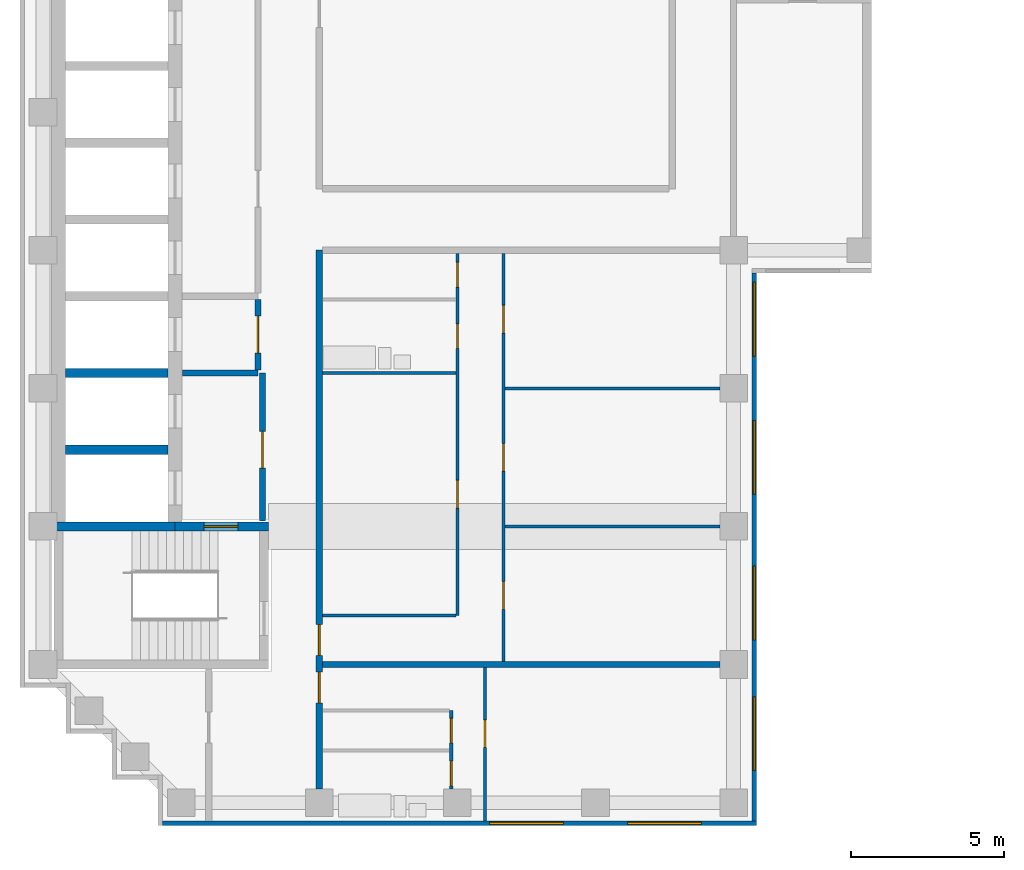
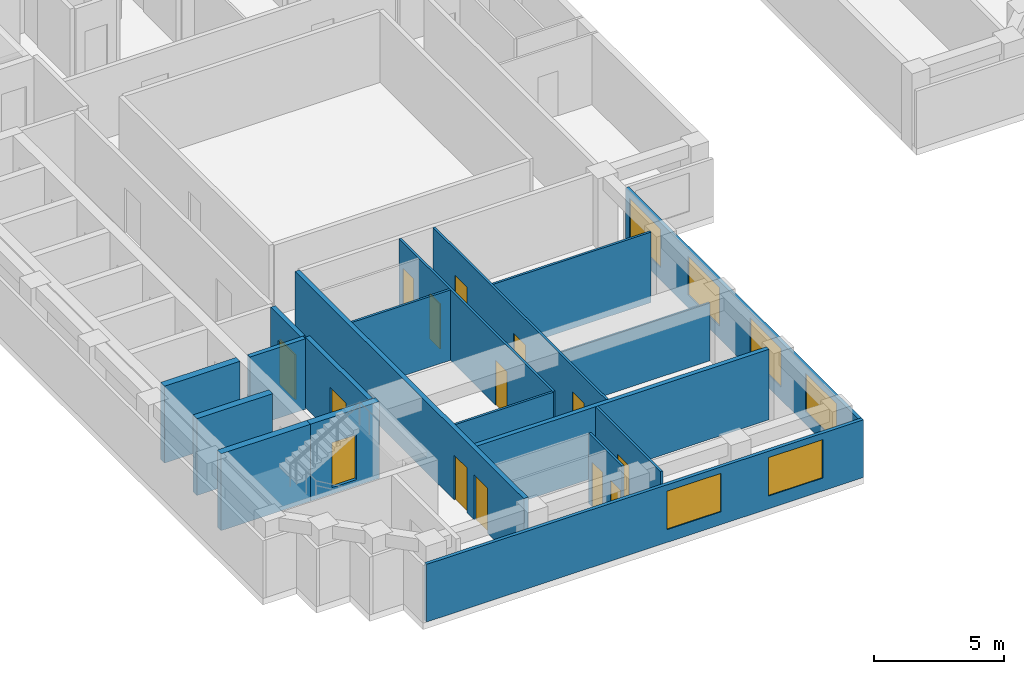
# One storey, part 2 of 7: 19 walls, 14 doors, 6 windows, 20 openings.
"""IFC4 building model written with IfcOpenShell, lengths in metres."""

from ifc_helpers import new_model, si_unit, direction, frame, frame_2d, origin, place, context, subcontext, project, spatial, rectangle, extrude, material, layer, layer_set, type_object, element, fill, save


model = new_model("IFC4")

# Units and contexts
model_context = context("Model", 3, precision=1e-05, world=origin(), true_north=direction((0.0, 1.0)))
body_context = subcontext(model_context, "Body", "Model", "MODEL_VIEW")
ifc_project = project(units=[si_unit("LENGTHUNIT", "METRE"), si_unit("AREAUNIT", "SQUARE_METRE"), si_unit("VOLUMEUNIT", "CUBIC_METRE"), si_unit("PLANEANGLEUNIT", "RADIAN"), si_unit("MASSUNIT", "GRAM", prefix="KILO")], contexts=[model_context])

# Site, building, storey
site_placement = place(None, origin())
site = spatial("IfcSite", under=ifc_project, at=site_placement, CompositionType="ELEMENT")
building_placement = place(site_placement, origin())
building = spatial("IfcBuilding", under=site, at=building_placement, Name="Firuza Court", CompositionType="ELEMENT")
storey_placement = place(building_placement, frame((0.0, 0.0, 243.800048828125)))
storey = spatial("IfcBuildingStorey", under=building, at=storey_placement, Name="L63", CompositionType="ELEMENT", Elevation=243.800048828125)

# Walls
ifc_material_1 = material(Name="Moisture-resistant gypsum board partition")
ifc_layer_1 = layer(ifc_material_1, 0.10009765625)
ifc_layer_set_1 = layer_set([ifc_layer_1], Name="Moisture-resistant gypsum board partition")
wall_type_1 = type_object("IfcWallType", Name="Bathroom partition 100", PredefinedType="PLUMBINGWALL", material=ifc_layer_set_1)
wall_1_placement = place(storey_placement, frame((9.10009765625, 32.0, 0.0), z_axis=(0.0, 0.0, 1.0), x_axis=(1.0, 0.0, 0.0)))
element("IfcWall", 1, at=wall_1_placement, inside=storey, type_object=wall_type_1, Name="Bathroom partition 100 L63", PredefinedType="PLUMBINGWALL", context=body_context, shape_type="SweptSolid", body=[
    extrude(rectangle(XDim=4.349853515625, YDim=0.10009765625, at=frame_2d((2.1748046875, 0.0))), origin(), (0.0, 0.0, 1.0), 3.300048828125),
])
ifc_material_2 = material(Name="Concrete C50/60", Category="concrete")
ifc_layer_2 = layer(ifc_material_2, 0.300048828125)
ifc_layer_set_2 = layer_set([ifc_layer_2], Name="Concrete C50/60")
wall_type_2 = type_object("IfcWallType", Name="Core wall 300 C50/60", PredefinedType="SHEAR", material=ifc_layer_set_2)
wall_2_placement = place(storey_placement, frame((0.35009765625, 27.0, -0.300048828125), z_axis=(0.0, 0.0, 1.0), x_axis=(1.0, 0.0, 0.0)))
element("IfcWall", 2, at=wall_2_placement, inside=storey, type_object=wall_type_2, Name="Core wall lift shaft L63", PredefinedType="SHEAR", context=body_context, shape_type="SweptSolid", body=[
    extrude(rectangle(XDim=3.949951171875, YDim=0.300048828125, at=frame_2d((1.97509765625, 0.0))), origin(), (0.0, 0.0, 1.0), 3.60009765625),
])
for number, where, z_axis, x_axis, name in (
    (3, (0.72509765625, 29.5, -0.300048828125), (0.0, 0.0, 1.0), (1.0, 0.0, 0.0), "Core wall lift shaft L63"),
    (4, (0.72509765625, 32.0, -0.300048828125), (0.0, 0.0, 1.0), (1.0, 0.0, 0.0), "Core wall lift shaft L63"),
):
    element("IfcWall", number, at=place(storey_placement, frame(where, z_axis=z_axis, x_axis=x_axis)), inside=storey, type_object=wall_type_2, Name=name, PredefinedType="SHEAR", context=body_context, shape_type="SweptSolid", body=[
        extrude(rectangle(XDim=3.349853515625, YDim=0.300048828125, at=frame_2d((1.6748046875, 0.0))), origin(), (0.0, 0.0, 1.0), 3.60009765625),
    ])

# Wall, opening, door
wall_3_placement = place(storey_placement, frame((4.300048828125, 27.0, -0.300048828125), z_axis=(0.0, 0.0, 1.0), x_axis=(1.0, 0.0, 0.0)))
wall_3 = element("IfcWall", 5, at=wall_3_placement, inside=storey, type_object=wall_type_2, Name="Core wall stair L63", PredefinedType="SHEAR", context=body_context, shape_type="SweptSolid", body=[
    extrude(rectangle(XDim=3.050048828125, YDim=0.300048828125, at=frame_2d((1.52490234375, 0.0))), origin(), (0.0, 0.0, 1.0), 3.60009765625),
])
opening_1_placement = place(wall_3_placement, frame((0.949951171875, 0.0, 0.300048828125)))
opening_1 = element("IfcOpeningElement", 6, at=opening_1_placement, cuts=wall_3, Name="Opening D63009", PredefinedType="OPENING", context=body_context, shape_type="SweptSolid", body=[
    extrude(rectangle(XDim=1.10009765625, YDim=2.10009765625, at=frame_2d((0.550048828125, 1.050048828125))), frame((0.0, 0.162109375, 0.0), z_axis=(0.0, -1.0, 0.0), x_axis=(1.0, 0.0, 0.0)), (0.0, 0.0, 1.0), 0.323974609375),
])
ifc_material_3 = material(Name="Timber door leaf in hardwood frame", Category="wood")
door_type_1 = type_object("IfcDoorType", Name="Stair door 1100", OperationType="SINGLE_SWING_LEFT", PredefinedType="DOOR", material=ifc_material_3)
door_1_placement = place(opening_1_placement, frame((1.10009765625, 0.0, 0.0), z_axis=(0.0, 0.0, 1.0), x_axis=(-1.0, 0.0, 0.0)))
door_1 = element("IfcDoor", 7, at=door_1_placement, inside=storey, type_object=door_type_1, Name="Fire-fighting lobby door", OperationType="SINGLE_SWING_LEFT", OverallHeight=2.10009765625, OverallWidth=1.10009765625, PredefinedType="DOOR", context=body_context, shape_type="SweptSolid", body=[
    extrude(rectangle(XDim=1.10009765625, YDim=2.10009765625, at=frame_2d((0.550048828125, 1.050048828125))), frame((0.0, 0.02490234375, 0.0), z_axis=(0.0, -1.0, 0.0), x_axis=(1.0, 0.0, 0.0)), (0.0, 0.0, 1.0), 0.050048828125),
])
fill(opening_1, door_1)

# Wall, openings, doors
ifc_material_4 = material(Name="Blockwork, plastered both sides", Category="masonry")
ifc_layer_3 = layer(ifc_material_4, 0.199951171875)
ifc_layer_set_3 = layer_set([ifc_layer_3], Name="Blockwork, plastered both sides")
wall_type_3 = type_object("IfcWallType", Name="Corridor wall 200", PredefinedType="PARTITIONING", material=ifc_layer_set_3)
wall_4_placement = place(storey_placement, frame((9.0, 18.449951171875, 0.0), z_axis=(0.0, 0.0, 1.0), x_axis=(0.0, 1.0, 0.0)))
wall_4 = element("IfcWall", 8, at=wall_4_placement, inside=storey, type_object=wall_type_3, Name="Corridor wall 200 L63", PredefinedType="PARTITIONING", context=body_context, shape_type="SweptSolid", body=[
    extrude(rectangle(XDim=17.550048828125, YDim=0.199951171875, at=frame_2d((8.77490234375, 0.0))), origin(), (0.0, 0.0, 1.0), 3.300048828125),
])
opening_2_placement = place(wall_4_placement, frame((4.35009765625, 0.0, 0.0)))
opening_2 = element("IfcOpeningElement", 9, at=opening_2_placement, cuts=wall_4, Name="Opening D63014", PredefinedType="OPENING", context=body_context, shape_type="SweptSolid", body=[
    extrude(rectangle(XDim=1.0, YDim=2.10009765625, at=frame_2d((0.5, 1.050048828125))), frame((0.0, 0.11181640625, 0.0), z_axis=(0.0, -1.0, 0.0), x_axis=(1.0, 0.0, 0.0)), (0.0, 0.0, 1.0), 0.223876953125),
])
opening_3_placement = place(wall_4_placement, frame((2.800048828125, 0.0, 0.0)))
opening_3 = element("IfcOpeningElement", 10, at=opening_3_placement, cuts=wall_4, Name="Opening D63015", PredefinedType="OPENING", context=body_context, shape_type="SweptSolid", body=[
    extrude(rectangle(XDim=1.0, YDim=2.10009765625, at=frame_2d((0.5, 1.050048828125))), frame((0.0, 0.11181640625, 0.0), z_axis=(0.0, -1.0, 0.0), x_axis=(1.0, 0.0, 0.0)), (0.0, 0.0, 1.0), 0.223876953125),
])
ifc_material_5 = material(Name="Timber door leaf in hardwood frame", Category="wood")
door_type_2 = type_object("IfcDoorType", Name="Flat entrance door 1000", OperationType="SINGLE_SWING_LEFT", PredefinedType="DOOR", material=ifc_material_5)
door_2_placement = place(opening_2_placement, origin())
door_2 = element("IfcDoor", 11, at=door_2_placement, inside=storey, type_object=door_type_2, Name="Flat entrance door", OperationType="SINGLE_SWING_LEFT", OverallHeight=2.10009765625, OverallWidth=1.0, PredefinedType="DOOR", context=body_context, shape_type="SweptSolid", body=[
    extrude(rectangle(XDim=1.0, YDim=2.10009765625, at=frame_2d((0.5, 1.050048828125))), frame((0.0, 0.02490234375, 0.0), z_axis=(0.0, -1.0, 0.0), x_axis=(1.0, 0.0, 0.0)), (0.0, 0.0, 1.0), 0.050048828125),
])
fill(opening_2, door_2)
door_3_placement = place(opening_3_placement, origin())
door_3 = element("IfcDoor", 12, at=door_3_placement, inside=storey, type_object=door_type_2, Name="Flat entrance door", OperationType="SINGLE_SWING_LEFT", OverallHeight=2.10009765625, OverallWidth=1.0, PredefinedType="DOOR", context=body_context, shape_type="SweptSolid", body=[
    extrude(rectangle(XDim=1.0, YDim=2.10009765625, at=frame_2d((0.5, 1.050048828125))), frame((0.0, 0.02490234375, 0.0), z_axis=(0.0, -1.0, 0.0), x_axis=(1.0, 0.0, 0.0)), (0.0, 0.0, 1.0), 0.050048828125),
])
fill(opening_3, door_3)

# Wall, opening, door
ifc_material_6 = material(Name="Timber stud partition, plasterboard both sides", Category="wood")
ifc_layer_4 = layer(ifc_material_6, 0.10009765625)
ifc_layer_set_4 = layer_set([ifc_layer_4], Name="Timber stud partition, plasterboard both sides")
wall_type_4 = type_object("IfcWallType", Name="Partition wall 100", PredefinedType="PARTITIONING", material=ifc_layer_set_4)
wall_5_placement = place(storey_placement, frame((14.39990234375, 17.39990234375, 0.0), z_axis=(0.0, 0.0, 1.0), x_axis=(0.0, 1.0, 0.0)))
wall_5 = element("IfcWall", 13, at=wall_5_placement, inside=storey, type_object=wall_type_4, Name="Partition wall 100 L63", PredefinedType="PARTITIONING", context=body_context, shape_type="SweptSolid", body=[
    extrude(rectangle(XDim=5.0, YDim=0.10009765625, at=frame_2d((2.5, 0.0))), origin(), (0.0, 0.0, 1.0), 3.300048828125),
])
opening_4_placement = place(wall_5_placement, frame((2.39990234375, 0.0, 0.0)))
opening_4 = element("IfcOpeningElement", 14, at=opening_4_placement, cuts=wall_5, Name="Opening D63013", PredefinedType="OPENING", context=body_context, shape_type="SweptSolid", body=[
    extrude(rectangle(XDim=0.89990234375, YDim=2.10009765625, at=frame_2d((0.449951171875, 1.050048828125))), frame((0.0, 0.06201171875, 0.0), z_axis=(0.0, -1.0, 0.0), x_axis=(1.0, 0.0, 0.0)), (0.0, 0.0, 1.0), 0.1240234375),
])
ifc_material_7 = material(Name="Timber door leaf in hardwood frame", Category="wood")
door_type_3 = type_object("IfcDoorType", Name="Room door 900", OperationType="SINGLE_SWING_LEFT", PredefinedType="DOOR", material=ifc_material_7)
door_4_placement = place(opening_4_placement, frame((0.89990234375, 0.0, 0.0), z_axis=(0.0, 0.0, 1.0), x_axis=(-1.0, 0.0, 0.0)))
door_4 = element("IfcDoor", 15, at=door_4_placement, inside=storey, type_object=door_type_3, Name="Studio room door", OperationType="SINGLE_SWING_LEFT", OverallHeight=2.10009765625, OverallWidth=0.89990234375, PredefinedType="DOOR", context=body_context, shape_type="SweptSolid", body=[
    extrude(rectangle(XDim=0.89990234375, YDim=2.10009765625, at=frame_2d((0.449951171875, 1.050048828125))), frame((0.0, 0.02490234375, 0.0), z_axis=(0.0, -1.0, 0.0), x_axis=(1.0, 0.0, 0.0)), (0.0, 0.0, 1.0), 0.050048828125),
])
fill(opening_4, door_4)

# Wall, openings, doors
wall_6_placement = place(storey_placement, frame((13.300048828125, 18.449951171875, 0.0), z_axis=(0.0, 0.0, 1.0), x_axis=(0.0, 1.0, 0.0)))
wall_6 = element("IfcWall", 16, at=wall_6_placement, inside=storey, type_object=wall_type_4, Name="Partition wall 100 L63", PredefinedType="PARTITIONING", context=body_context, shape_type="SweptSolid", body=[
    extrude(rectangle(XDim=2.550048828125, YDim=0.10009765625, at=frame_2d((1.27490234375, 0.0))), origin(), (0.0, 0.0, 1.0), 3.300048828125),
])
opening_5_placement = place(wall_6_placement, frame((0.10009765625, 0.0, 0.0)))
opening_5 = element("IfcOpeningElement", 17, at=opening_5_placement, cuts=wall_6, Name="Opening D63016", PredefinedType="OPENING", context=body_context, shape_type="SweptSolid", body=[
    extrude(rectangle(XDim=0.800048828125, YDim=2.10009765625, at=frame_2d((0.39990234375, 1.050048828125))), frame((0.0, 0.06201171875, 0.0), z_axis=(0.0, -1.0, 0.0), x_axis=(1.0, 0.0, 0.0)), (0.0, 0.0, 1.0), 0.1240234375),
])
opening_6_placement = place(wall_6_placement, frame((1.5, 0.0, 0.0)))
opening_6 = element("IfcOpeningElement", 18, at=opening_6_placement, cuts=wall_6, Name="Opening D63017", PredefinedType="OPENING", context=body_context, shape_type="SweptSolid", body=[
    extrude(rectangle(XDim=0.800048828125, YDim=2.10009765625, at=frame_2d((0.39990234375, 1.050048828125))), frame((0.0, 0.06201171875, 0.0), z_axis=(0.0, -1.0, 0.0), x_axis=(1.0, 0.0, 0.0)), (0.0, 0.0, 1.0), 0.1240234375),
])
ifc_material_8 = material(Name="Timber door leaf in hardwood frame", Category="wood")
door_type_4 = type_object("IfcDoorType", Name="Bathroom door 800", OperationType="SINGLE_SWING_LEFT", PredefinedType="DOOR", material=ifc_material_8)
door_5_placement = place(opening_5_placement, origin())
door_5 = element("IfcDoor", 19, at=door_5_placement, inside=storey, type_object=door_type_4, Name="Bathroom door", OperationType="SINGLE_SWING_LEFT", OverallHeight=2.10009765625, OverallWidth=0.800048828125, PredefinedType="DOOR", context=body_context, shape_type="SweptSolid", body=[
    extrude(rectangle(XDim=0.800048828125, YDim=2.10009765625, at=frame_2d((0.39990234375, 1.050048828125))), frame((0.0, 0.02490234375, 0.0), z_axis=(0.0, -1.0, 0.0), x_axis=(1.0, 0.0, 0.0)), (0.0, 0.0, 1.0), 0.050048828125),
])
fill(opening_5, door_5)
ifc_material_9 = material(Name="Timber door leaf in hardwood frame", Category="wood")
door_type_5 = type_object("IfcDoorType", Name="Room door 800", OperationType="SINGLE_SWING_LEFT", PredefinedType="DOOR", material=ifc_material_9)
door_6_placement = place(opening_6_placement, origin())
door_6 = element("IfcDoor", 20, at=door_6_placement, inside=storey, type_object=door_type_5, Name="Kitchen door", OperationType="SINGLE_SWING_LEFT", OverallHeight=2.10009765625, OverallWidth=0.800048828125, PredefinedType="DOOR", context=body_context, shape_type="SweptSolid", body=[
    extrude(rectangle(XDim=0.800048828125, YDim=2.10009765625, at=frame_2d((0.39990234375, 1.050048828125))), frame((0.0, 0.02490234375, 0.0), z_axis=(0.0, -1.0, 0.0), x_axis=(1.0, 0.0, 0.0)), (0.0, 0.0, 1.0), 0.050048828125),
])
fill(opening_6, door_6)

wall_7_placement = place(storey_placement, frame((15.0, 22.60009765625, 0.0), z_axis=(0.0, 0.0, 1.0), x_axis=(0.0, 1.0, 0.0)))
wall_7 = element("IfcWall", 21, at=wall_7_placement, inside=storey, type_object=wall_type_4, Name="Partition wall 100 L63", PredefinedType="PARTITIONING", context=body_context, shape_type="SweptSolid", body=[
    extrude(rectangle(XDim=13.2998046875, YDim=0.10009765625, at=frame_2d((6.64990234375, 0.0))), origin(), (0.0, 0.0, 1.0), 3.300048828125),
])
opening_7_placement = place(wall_7_placement, frame((1.699951171875, 0.0, 0.0)))
opening_7 = element("IfcOpeningElement", 22, at=opening_7_placement, cuts=wall_7, Name="Opening D63018", PredefinedType="OPENING", context=body_context, shape_type="SweptSolid", body=[
    extrude(rectangle(XDim=0.89990234375, YDim=2.10009765625, at=frame_2d((0.449951171875, 1.050048828125))), frame((0.0, 0.06201171875, 0.0), z_axis=(0.0, -1.0, 0.0), x_axis=(1.0, 0.0, 0.0)), (0.0, 0.0, 1.0), 0.1240234375),
])
opening_8_placement = place(wall_7_placement, frame((6.199951171875, 0.0, 0.0)))
opening_8 = element("IfcOpeningElement", 23, at=opening_8_placement, cuts=wall_7, Name="Opening D63019", PredefinedType="OPENING", context=body_context, shape_type="SweptSolid", body=[
    extrude(rectangle(XDim=0.89990234375, YDim=2.10009765625, at=frame_2d((0.449951171875, 1.050048828125))), frame((0.0, 0.06201171875, 0.0), z_axis=(0.0, -1.0, 0.0), x_axis=(1.0, 0.0, 0.0)), (0.0, 0.0, 1.0), 0.1240234375),
])
opening_9_placement = place(wall_7_placement, frame((10.699951171875, 0.0, 0.0)))
opening_9 = element("IfcOpeningElement", 24, at=opening_9_placement, cuts=wall_7, Name="Opening D63020", PredefinedType="OPENING", context=body_context, shape_type="SweptSolid", body=[
    extrude(rectangle(XDim=0.89990234375, YDim=2.10009765625, at=frame_2d((0.449951171875, 1.050048828125))), frame((0.0, 0.06201171875, 0.0), z_axis=(0.0, -1.0, 0.0), x_axis=(1.0, 0.0, 0.0)), (0.0, 0.0, 1.0), 0.1240234375),
])
door_7_placement = place(opening_7_placement, frame((0.89990234375, 0.0, 0.0), z_axis=(0.0, 0.0, 1.0), x_axis=(-1.0, 0.0, 0.0)))
door_7 = element("IfcDoor", 25, at=door_7_placement, inside=storey, type_object=door_type_3, Name="Living room door", OperationType="SINGLE_SWING_RIGHT", OverallHeight=2.10009765625, OverallWidth=0.89990234375, PredefinedType="DOOR", context=body_context, shape_type="SweptSolid", body=[
    extrude(rectangle(XDim=0.89990234375, YDim=2.10009765625, at=frame_2d((0.449951171875, 1.050048828125))), frame((0.0, 0.02490234375, 0.0), z_axis=(0.0, -1.0, 0.0), x_axis=(1.0, 0.0, 0.0)), (0.0, 0.0, 1.0), 0.050048828125),
])
fill(opening_7, door_7)
door_8_placement = place(opening_8_placement, frame((0.89990234375, 0.0, 0.0), z_axis=(0.0, 0.0, 1.0), x_axis=(-1.0, 0.0, 0.0)))
door_8 = element("IfcDoor", 26, at=door_8_placement, inside=storey, type_object=door_type_3, Name="Bedroom door", OperationType="SINGLE_SWING_RIGHT", OverallHeight=2.10009765625, OverallWidth=0.89990234375, PredefinedType="DOOR", context=body_context, shape_type="SweptSolid", body=[
    extrude(rectangle(XDim=0.89990234375, YDim=2.10009765625, at=frame_2d((0.449951171875, 1.050048828125))), frame((0.0, 0.02490234375, 0.0), z_axis=(0.0, -1.0, 0.0), x_axis=(1.0, 0.0, 0.0)), (0.0, 0.0, 1.0), 0.050048828125),
])
fill(opening_8, door_8)
door_9_placement = place(opening_9_placement, frame((0.89990234375, 0.0, 0.0), z_axis=(0.0, 0.0, 1.0), x_axis=(-1.0, 0.0, 0.0)))
door_9 = element("IfcDoor", 27, at=door_9_placement, inside=storey, type_object=door_type_3, Name="Bedroom door", OperationType="SINGLE_SWING_RIGHT", OverallHeight=2.10009765625, OverallWidth=0.89990234375, PredefinedType="DOOR", context=body_context, shape_type="SweptSolid", body=[
    extrude(rectangle(XDim=0.89990234375, YDim=2.10009765625, at=frame_2d((0.449951171875, 1.050048828125))), frame((0.0, 0.02490234375, 0.0), z_axis=(0.0, -1.0, 0.0), x_axis=(1.0, 0.0, 0.0)), (0.0, 0.0, 1.0), 0.050048828125),
])
fill(opening_9, door_9)

# Wall
wall_8_placement = place(storey_placement, frame((9.10009765625, 24.10009765625, 0.0), z_axis=(0.0, 0.0, 1.0), x_axis=(1.0, 0.0, 0.0)))
element("IfcWall", 28, at=wall_8_placement, inside=storey, type_object=wall_type_4, Name="Partition wall 100 L63", PredefinedType="PARTITIONING", context=body_context, shape_type="SweptSolid", body=[
    extrude(rectangle(XDim=4.349853515625, YDim=0.10009765625, at=frame_2d((2.1748046875, 0.0))), origin(), (0.0, 0.0, 1.0), 3.300048828125),
])

# Wall, openings, doors
wall_9_placement = place(storey_placement, frame((13.5, 24.10009765625, 0.0), z_axis=(0.0, 0.0, 1.0), x_axis=(0.0, 1.0, 0.0)))
wall_9 = element("IfcWall", 29, at=wall_9_placement, inside=storey, type_object=wall_type_4, Name="Partition wall 100 L63", PredefinedType="PARTITIONING", context=body_context, shape_type="SweptSolid", body=[
    extrude(rectangle(XDim=11.7998046875, YDim=0.10009765625, at=frame_2d((5.89990234375, 0.0))), origin(), (0.0, 0.0, 1.0), 3.300048828125),
])
opening_10_placement = place(wall_9_placement, frame((8.699951171875, 0.0, 0.0)))
opening_10 = element("IfcOpeningElement", 30, at=opening_10_placement, cuts=wall_9, Name="Opening D63021", PredefinedType="OPENING", context=body_context, shape_type="SweptSolid", body=[
    extrude(rectangle(XDim=0.800048828125, YDim=2.10009765625, at=frame_2d((0.39990234375, 1.050048828125))), frame((0.0, 0.06201171875, 0.0), z_axis=(0.0, -1.0, 0.0), x_axis=(1.0, 0.0, 0.0)), (0.0, 0.0, 1.0), 0.1240234375),
])
opening_11_placement = place(wall_9_placement, frame((3.5, 0.0, 0.0)))
opening_11 = element("IfcOpeningElement", 31, at=opening_11_placement, cuts=wall_9, Name="Opening D63022", PredefinedType="OPENING", context=body_context, shape_type="SweptSolid", body=[
    extrude(rectangle(XDim=0.89990234375, YDim=2.10009765625, at=frame_2d((0.449951171875, 1.050048828125))), frame((0.0, 0.06201171875, 0.0), z_axis=(0.0, -1.0, 0.0), x_axis=(1.0, 0.0, 0.0)), (0.0, 0.0, 1.0), 0.1240234375),
])
opening_12_placement = place(wall_9_placement, frame((10.699951171875, 0.0, 0.0)))
opening_12 = element("IfcOpeningElement", 32, at=opening_12_placement, cuts=wall_9, Name="Opening D63023", PredefinedType="OPENING", context=body_context, shape_type="SweptSolid", body=[
    extrude(rectangle(XDim=0.800048828125, YDim=2.10009765625, at=frame_2d((0.39990234375, 1.050048828125))), frame((0.0, 0.06201171875, 0.0), z_axis=(0.0, -1.0, 0.0), x_axis=(1.0, 0.0, 0.0)), (0.0, 0.0, 1.0), 0.1240234375),
])
door_10_placement = place(opening_10_placement, origin())
door_10 = element("IfcDoor", 33, at=door_10_placement, inside=storey, type_object=door_type_4, Name="Bathroom door", OperationType="SINGLE_SWING_LEFT", OverallHeight=2.10009765625, OverallWidth=0.800048828125, PredefinedType="DOOR", context=body_context, shape_type="SweptSolid", body=[
    extrude(rectangle(XDim=0.800048828125, YDim=2.10009765625, at=frame_2d((0.39990234375, 1.050048828125))), frame((0.0, 0.02490234375, 0.0), z_axis=(0.0, -1.0, 0.0), x_axis=(1.0, 0.0, 0.0)), (0.0, 0.0, 1.0), 0.050048828125),
])
fill(opening_10, door_10)
door_11_placement = place(opening_12_placement, origin())
door_11 = element("IfcDoor", 34, at=door_11_placement, inside=storey, type_object=door_type_5, Name="Store door", OperationType="SINGLE_SWING_LEFT", OverallHeight=2.10009765625, OverallWidth=0.800048828125, PredefinedType="DOOR", context=body_context, shape_type="SweptSolid", body=[
    extrude(rectangle(XDim=0.800048828125, YDim=2.10009765625, at=frame_2d((0.39990234375, 1.050048828125))), frame((0.0, 0.02490234375, 0.0), z_axis=(0.0, -1.0, 0.0), x_axis=(1.0, 0.0, 0.0)), (0.0, 0.0, 1.0), 0.050048828125),
])
fill(opening_12, door_11)
door_12_placement = place(opening_11_placement, origin())
door_12 = element("IfcDoor", 35, at=door_12_placement, inside=storey, type_object=door_type_3, Name="Kitchen door", OperationType="SINGLE_SWING_LEFT", OverallHeight=2.10009765625, OverallWidth=0.89990234375, PredefinedType="DOOR", context=body_context, shape_type="SweptSolid", body=[
    extrude(rectangle(XDim=0.89990234375, YDim=2.10009765625, at=frame_2d((0.449951171875, 1.050048828125))), frame((0.0, 0.02490234375, 0.0), z_axis=(0.0, -1.0, 0.0), x_axis=(1.0, 0.0, 0.0)), (0.0, 0.0, 1.0), 0.050048828125),
])
fill(opening_11, door_12)

# Walls
wall_10_placement = place(storey_placement, frame((15.050048828125, 27.0, 0.0), z_axis=(0.0, 0.0, 1.0), x_axis=(1.0, 0.0, 0.0)))
element("IfcWall", 36, at=wall_10_placement, inside=storey, type_object=wall_type_4, Name="Partition wall 100 L63", PredefinedType="PARTITIONING", context=body_context, shape_type="SweptSolid", body=[
    extrude(rectangle(XDim=7.0, YDim=0.10009765625, at=frame_2d((3.5, 0.0))), origin(), (0.0, 0.0, 1.0), 2.699951171875),
])
wall_11_placement = place(storey_placement, frame((15.050048828125, 31.5, 0.0), z_axis=(0.0, 0.0, 1.0), x_axis=(1.0, 0.0, 0.0)))
element("IfcWall", 37, at=wall_11_placement, inside=storey, type_object=wall_type_4, Name="Partition wall 100 L63", PredefinedType="PARTITIONING", context=body_context, shape_type="SweptSolid", body=[
    extrude(rectangle(XDim=7.0, YDim=0.10009765625, at=frame_2d((3.5, 0.0))), origin(), (0.0, 0.0, 1.0), 3.300048828125),
])
ifc_layer_5 = layer(ifc_material_4, 0.199951171875)
ifc_layer_set_5 = layer_set([ifc_layer_5], Name="Blockwork, plastered both sides")
wall_type_5 = type_object("IfcWallType", Name="Party wall 200", PredefinedType="PARTITIONING", material=ifc_layer_set_5)
wall_12_placement = place(storey_placement, frame((9.10009765625, 22.5, 0.0), z_axis=(0.0, 0.0, 1.0), x_axis=(1.0, 0.0, 0.0)))
element("IfcWall", 38, at=wall_12_placement, inside=storey, type_object=wall_type_5, Name="Party wall 200 L63", PredefinedType="PARTITIONING", context=body_context, shape_type="SweptSolid", body=[
    extrude(rectangle(XDim=12.949951171875, YDim=0.199951171875, at=frame_2d((6.47509765625, 0.0))), origin(), (0.0, 0.0, 1.0), 3.300048828125),
])

# Wall, openings, windows
ifc_material_10 = material(Name="Ceramic tile", Category="ceramic")
ifc_layer_6 = layer(ifc_material_10, 0.02001953125)
ifc_material_11 = material(Name="Mineral wool insulation", Category="insulation")
ifc_layer_7 = layer(ifc_material_11, 0.050048828125)
ifc_material_12 = material(Name="Concrete C40/50 precast", Category="concrete")
ifc_layer_8 = layer(ifc_material_12, 0.080078125)
ifc_layer_set_6 = layer_set([ifc_layer_6, ifc_layer_7, ifc_layer_8], Name="Concrete C40/50 precast")
wall_type_6 = type_object("IfcWallType", Name="Precast cladding wall with turquoise TILE PANEL face 150", PredefinedType="STANDARD", material=ifc_layer_set_6)
wall_13_placement = place(storey_placement, frame((3.89990234375, 17.324951171875, 0.0), z_axis=(0.0, 0.0, 1.0), x_axis=(1.0, 0.0, 0.0)))
wall_13 = element("IfcWall", 39, at=wall_13_placement, inside=storey, type_object=wall_type_6, Name="Facade wall L63 S", PredefinedType="STANDARD", context=body_context, shape_type="SweptSolid", body=[
    extrude(rectangle(XDim=19.35009765625, YDim=0.14990234375, at=frame_2d((9.675048828125, 0.0))), origin(), (0.0, 0.0, 1.0), 2.699951171875),
])
opening_13_placement = place(wall_13_placement, frame((10.64990234375, 0.0, 0.60009765625)))
opening_13 = element("IfcOpeningElement", 40, at=opening_13_placement, cuts=wall_13, Name="Opening W1", PredefinedType="OPENING", context=body_context, shape_type="SweptSolid", body=[
    extrude(rectangle(XDim=2.39990234375, YDim=1.800048828125, at=frame_2d((1.199951171875, 0.89990234375))), frame((0.0, 0.0869140625, 0.0), z_axis=(0.0, -1.0, 0.0), x_axis=(1.0, 0.0, 0.0)), (0.0, 0.0, 1.0), 0.173828125),
])
opening_14_placement = place(wall_13_placement, frame((15.14990234375, 0.0, 0.60009765625)))
opening_14 = element("IfcOpeningElement", 41, at=opening_14_placement, cuts=wall_13, Name="Opening W1", PredefinedType="OPENING", context=body_context, shape_type="SweptSolid", body=[
    extrude(rectangle(XDim=2.39990234375, YDim=1.800048828125, at=frame_2d((1.199951171875, 0.89990234375))), frame((0.0, 0.0869140625, 0.0), z_axis=(0.0, -1.0, 0.0), x_axis=(1.0, 0.0, 0.0)), (0.0, 0.0, 1.0), 0.173828125),
])
ifc_material_13 = material(Name="Aluminium frame, triple clear glazing", Category="aluminium")
window_type = type_object("IfcWindowType", Name="Window W1 2400 x 1800", PartitioningType="SINGLE_PANEL", PredefinedType="WINDOW", material=ifc_material_13)
window_1_placement = place(opening_13_placement, origin())
window_1 = element("IfcWindow", 42, at=window_1_placement, inside=storey, type_object=window_type, Name="Window L63", OverallHeight=1.800048828125, OverallWidth=2.39990234375, PartitioningType="SINGLE_PANEL", PredefinedType="WINDOW", context=body_context, shape_type="SweptSolid", body=[
    extrude(rectangle(XDim=2.39990234375, YDim=1.800048828125, at=frame_2d((1.199951171875, 0.89990234375))), frame((0.0, 0.030029296875, 0.0), z_axis=(0.0, -1.0, 0.0), x_axis=(1.0, 0.0, 0.0)), (0.0, 0.0, 1.0), 0.06005859375),
])
fill(opening_13, window_1)
window_2_placement = place(opening_14_placement, origin())
window_2 = element("IfcWindow", 43, at=window_2_placement, inside=storey, type_object=window_type, Name="Window L63", OverallHeight=1.800048828125, OverallWidth=2.39990234375, PartitioningType="SINGLE_PANEL", PredefinedType="WINDOW", context=body_context, shape_type="SweptSolid", body=[
    extrude(rectangle(XDim=2.39990234375, YDim=1.800048828125, at=frame_2d((1.199951171875, 0.89990234375))), frame((0.0, 0.030029296875, 0.0), z_axis=(0.0, -1.0, 0.0), x_axis=(1.0, 0.0, 0.0)), (0.0, 0.0, 1.0), 0.06005859375),
])
fill(opening_14, window_2)

wall_14_placement = place(storey_placement, frame((23.175048828125, 17.39990234375, 0.0), z_axis=(0.0, 0.0, 1.0), x_axis=(0.0, 1.0, 0.0)))
wall_14 = element("IfcWall", 44, at=wall_14_placement, inside=storey, type_object=wall_type_6, Name="Facade wall L63 E", PredefinedType="STANDARD", context=body_context, shape_type="SweptSolid", body=[
    extrude(rectangle(XDim=17.85009765625, YDim=0.14990234375, at=frame_2d((8.925048828125, 0.0))), origin(), (0.0, 0.0, 1.0), 2.699951171875),
])
opening_15_placement = place(wall_14_placement, frame((1.64990234375, 0.0, 0.60009765625)))
opening_15 = element("IfcOpeningElement", 45, at=opening_15_placement, cuts=wall_14, Name="Opening W1", PredefinedType="OPENING", context=body_context, shape_type="SweptSolid", body=[
    extrude(rectangle(XDim=2.39990234375, YDim=1.800048828125, at=frame_2d((1.199951171875, 0.89990234375))), frame((0.0, 0.0869140625, 0.0), z_axis=(0.0, -1.0, 0.0), x_axis=(1.0, 0.0, 0.0)), (0.0, 0.0, 1.0), 0.173828125),
])
opening_16_placement = place(wall_14_placement, frame((5.90087890625, 0.0, 0.60009765625)))
opening_16 = element("IfcOpeningElement", 46, at=opening_16_placement, cuts=wall_14, Name="Opening W1", PredefinedType="OPENING", context=body_context, shape_type="SweptSolid", body=[
    extrude(rectangle(XDim=2.39990234375, YDim=1.800048828125, at=frame_2d((1.199951171875, 0.89990234375))), frame((0.0, 0.0869140625, 0.0), z_axis=(0.0, -1.0, 0.0), x_axis=(1.0, 0.0, 0.0)), (0.0, 0.0, 1.0), 0.173828125),
])
opening_17_placement = place(wall_14_placement, frame((10.64990234375, 0.0, 0.60009765625)))
opening_17 = element("IfcOpeningElement", 47, at=opening_17_placement, cuts=wall_14, Name="Opening W1", PredefinedType="OPENING", context=body_context, shape_type="SweptSolid", body=[
    extrude(rectangle(XDim=2.39990234375, YDim=1.800048828125, at=frame_2d((1.199951171875, 0.89990234375))), frame((0.0, 0.0869140625, 0.0), z_axis=(0.0, -1.0, 0.0), x_axis=(1.0, 0.0, 0.0)), (0.0, 0.0, 1.0), 0.173828125),
])
opening_18_placement = place(wall_14_placement, frame((15.14990234375, 0.0, 0.60009765625)))
opening_18 = element("IfcOpeningElement", 48, at=opening_18_placement, cuts=wall_14, Name="Opening W1", PredefinedType="OPENING", context=body_context, shape_type="SweptSolid", body=[
    extrude(rectangle(XDim=2.39990234375, YDim=1.800048828125, at=frame_2d((1.199951171875, 0.89990234375))), frame((0.0, 0.0869140625, 0.0), z_axis=(0.0, -1.0, 0.0), x_axis=(1.0, 0.0, 0.0)), (0.0, 0.0, 1.0), 0.173828125),
])
window_3_placement = place(opening_15_placement, origin())
window_3 = element("IfcWindow", 49, at=window_3_placement, inside=storey, type_object=window_type, Name="Window L63", OverallHeight=1.800048828125, OverallWidth=2.39990234375, PartitioningType="SINGLE_PANEL", PredefinedType="WINDOW", context=body_context, shape_type="SweptSolid", body=[
    extrude(rectangle(XDim=2.39990234375, YDim=1.800048828125, at=frame_2d((1.199951171875, 0.89990234375))), frame((0.0, 0.030029296875, 0.0), z_axis=(0.0, -1.0, 0.0), x_axis=(1.0, 0.0, 0.0)), (0.0, 0.0, 1.0), 0.06005859375),
])
fill(opening_15, window_3)
window_4_placement = place(opening_16_placement, origin())
window_4 = element("IfcWindow", 50, at=window_4_placement, inside=storey, type_object=window_type, Name="Window L63", OverallHeight=1.800048828125, OverallWidth=2.39990234375, PartitioningType="SINGLE_PANEL", PredefinedType="WINDOW", context=body_context, shape_type="SweptSolid", body=[
    extrude(rectangle(XDim=2.39990234375, YDim=1.800048828125, at=frame_2d((1.199951171875, 0.89990234375))), frame((0.0, 0.030029296875, 0.0), z_axis=(0.0, -1.0, 0.0), x_axis=(1.0, 0.0, 0.0)), (0.0, 0.0, 1.0), 0.06005859375),
])
fill(opening_16, window_4)
window_5_placement = place(opening_17_placement, origin())
window_5 = element("IfcWindow", 51, at=window_5_placement, inside=storey, type_object=window_type, Name="Window L63", OverallHeight=1.800048828125, OverallWidth=2.39990234375, PartitioningType="SINGLE_PANEL", PredefinedType="WINDOW", context=body_context, shape_type="SweptSolid", body=[
    extrude(rectangle(XDim=2.39990234375, YDim=1.800048828125, at=frame_2d((1.199951171875, 0.89990234375))), frame((0.0, 0.030029296875, 0.0), z_axis=(0.0, -1.0, 0.0), x_axis=(1.0, 0.0, 0.0)), (0.0, 0.0, 1.0), 0.06005859375),
])
fill(opening_17, window_5)
window_6_placement = place(opening_18_placement, origin())
window_6 = element("IfcWindow", 52, at=window_6_placement, inside=storey, type_object=window_type, Name="Window L63", OverallHeight=1.800048828125, OverallWidth=2.39990234375, PartitioningType="SINGLE_PANEL", PredefinedType="WINDOW", context=body_context, shape_type="SweptSolid", body=[
    extrude(rectangle(XDim=2.39990234375, YDim=1.800048828125, at=frame_2d((1.199951171875, 0.89990234375))), frame((0.0, 0.030029296875, 0.0), z_axis=(0.0, -1.0, 0.0), x_axis=(1.0, 0.0, 0.0)), (0.0, 0.0, 1.0), 0.06005859375),
])
fill(opening_18, window_6)

# Wall
ifc_material_14 = material(Name="Blockwork, fire-rated", Category="masonry")
ifc_layer_9 = layer(ifc_material_14, 0.199951171875)
ifc_layer_set_7 = layer_set([ifc_layer_9], Name="Blockwork, fire-rated")
wall_type_7 = type_object("IfcWallType", Name="Shaft wall 200", PredefinedType="PARTITIONING", material=ifc_layer_set_7)
wall_15_placement = place(storey_placement, frame((4.544921875, 32.0, 0.0), z_axis=(0.0, 0.0, 1.0), x_axis=(1.0, 0.0, 0.0)))
element("IfcWall", 53, at=wall_15_placement, inside=storey, type_object=wall_type_7, Name="Shaft wall 200 L63", PredefinedType="PARTITIONING", context=body_context, shape_type="SweptSolid", body=[
    extrude(rectangle(XDim=2.455078125, YDim=0.199951171875, at=frame_2d((1.2275390625, 0.0))), origin(), (0.0, 0.0, 1.0), 3.300048828125),
])

# Wall, opening, door
wall_16_placement = place(storey_placement, frame((7.0, 32.10009765625, 0.0), z_axis=(0.0, 0.0, 1.0), x_axis=(0.0, 1.0, 0.0)))
wall_16 = element("IfcWall", 54, at=wall_16_placement, inside=storey, type_object=wall_type_7, Name="Shaft wall 200 L63", PredefinedType="PARTITIONING", context=body_context, shape_type="SweptSolid", body=[
    extrude(rectangle(XDim=2.2998046875, YDim=0.199951171875, at=frame_2d((1.14990234375, 0.0))), origin(), (0.0, 0.0, 1.0), 3.300048828125),
])
opening_19_placement = place(wall_16_placement, frame((0.550048828125, 0.0, 0.0)))
opening_19 = element("IfcOpeningElement", 55, at=opening_19_placement, cuts=wall_16, Name="Opening D63007", PredefinedType="OPENING", context=body_context, shape_type="SweptSolid", body=[
    extrude(rectangle(XDim=1.199951171875, YDim=2.10009765625, at=frame_2d((0.60009765625, 1.050048828125))), frame((0.0, 0.11181640625, 0.0), z_axis=(0.0, -1.0, 0.0), x_axis=(1.0, 0.0, 0.0)), (0.0, 0.0, 1.0), 0.223876953125),
])
ifc_material_15 = material(Name="Timber door leaf in hardwood frame", Category="wood")
door_type_6 = type_object("IfcDoorType", Name="Lobby door 1200", OperationType="SINGLE_SWING_LEFT", PredefinedType="DOOR", material=ifc_material_15)
door_13_placement = place(opening_19_placement, origin())
door_13 = element("IfcDoor", 56, at=door_13_placement, inside=storey, type_object=door_type_6, Name="Lobby door", OperationType="SINGLE_SWING_LEFT", OverallHeight=2.10009765625, OverallWidth=1.199951171875, PredefinedType="DOOR", context=body_context, shape_type="SweptSolid", body=[
    extrude(rectangle(XDim=1.199951171875, YDim=2.10009765625, at=frame_2d((0.60009765625, 1.050048828125))), frame((0.0, 0.02490234375, 0.0), z_axis=(0.0, -1.0, 0.0), x_axis=(1.0, 0.0, 0.0)), (0.0, 0.0, 1.0), 0.050048828125),
])
fill(opening_19, door_13)

wall_17_placement = place(storey_placement, frame((7.14990234375, 27.169921875, 0.0), z_axis=(0.0, 0.0, 1.0), x_axis=(0.0, 1.0, 0.0)))
wall_17 = element("IfcWall", 57, at=wall_17_placement, inside=storey, type_object=wall_type_7, Name="Shaft wall 200 L63", PredefinedType="PARTITIONING", context=body_context, shape_type="SweptSolid", body=[
    extrude(rectangle(XDim=4.830078125, YDim=0.199951171875, at=frame_2d((2.4150390625, 0.0))), origin(), (0.0, 0.0, 1.0), 3.300048828125),
])
opening_20_placement = place(wall_17_placement, frame((1.72998046875, 0.0, 0.0)))
opening_20 = element("IfcOpeningElement", 58, at=opening_20_placement, cuts=wall_17, Name="Opening D63002", PredefinedType="OPENING", context=body_context, shape_type="SweptSolid", body=[
    extrude(rectangle(XDim=1.199951171875, YDim=2.10009765625, at=frame_2d((0.60009765625, 1.050048828125))), frame((0.0, 0.11181640625, 0.0), z_axis=(0.0, -1.0, 0.0), x_axis=(1.0, 0.0, 0.0)), (0.0, 0.0, 1.0), 0.223876953125),
])
door_14_placement = place(opening_20_placement, origin())
door_14 = element("IfcDoor", 59, at=door_14_placement, inside=storey, type_object=door_type_6, Name="Fire-fighting lobby door", OperationType="SINGLE_SWING_LEFT", OverallHeight=2.10009765625, OverallWidth=1.199951171875, PredefinedType="DOOR", context=body_context, shape_type="SweptSolid", body=[
    extrude(rectangle(XDim=1.199951171875, YDim=2.10009765625, at=frame_2d((0.60009765625, 1.050048828125))), frame((0.0, 0.02490234375, 0.0), z_axis=(0.0, -1.0, 0.0), x_axis=(1.0, 0.0, 0.0)), (0.0, 0.0, 1.0), 0.050048828125),
])
fill(opening_20, door_14)

save(model, "model.ifc")
